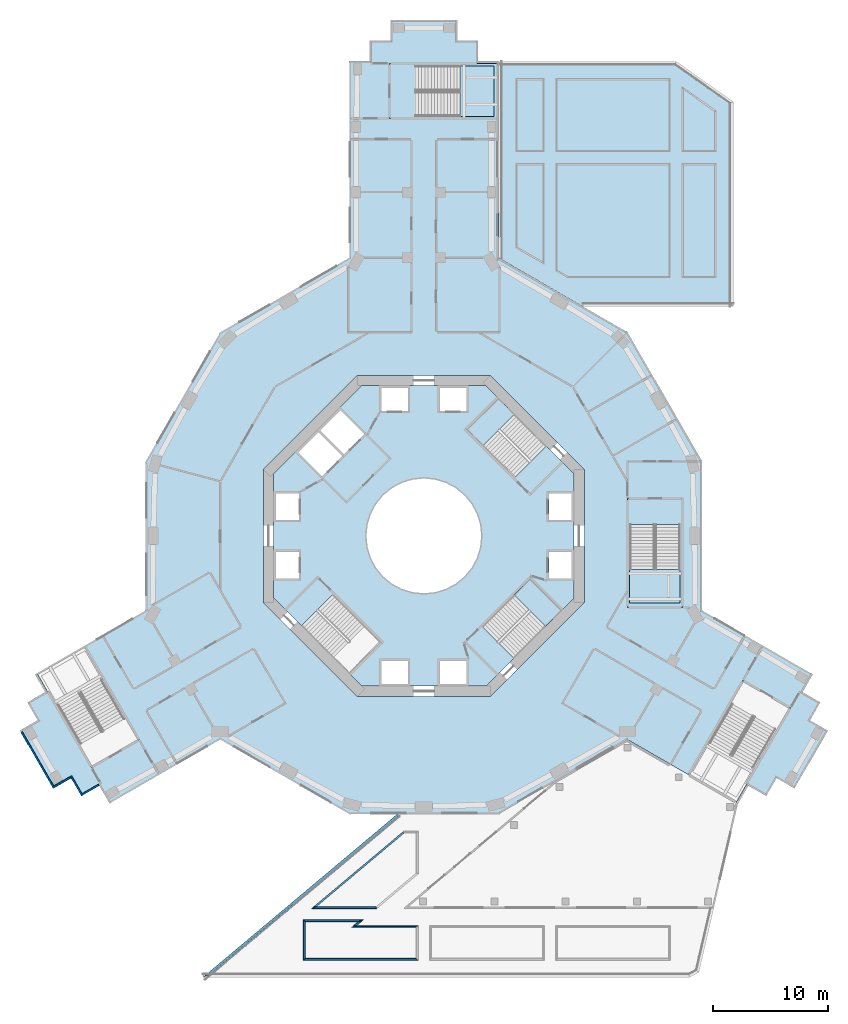
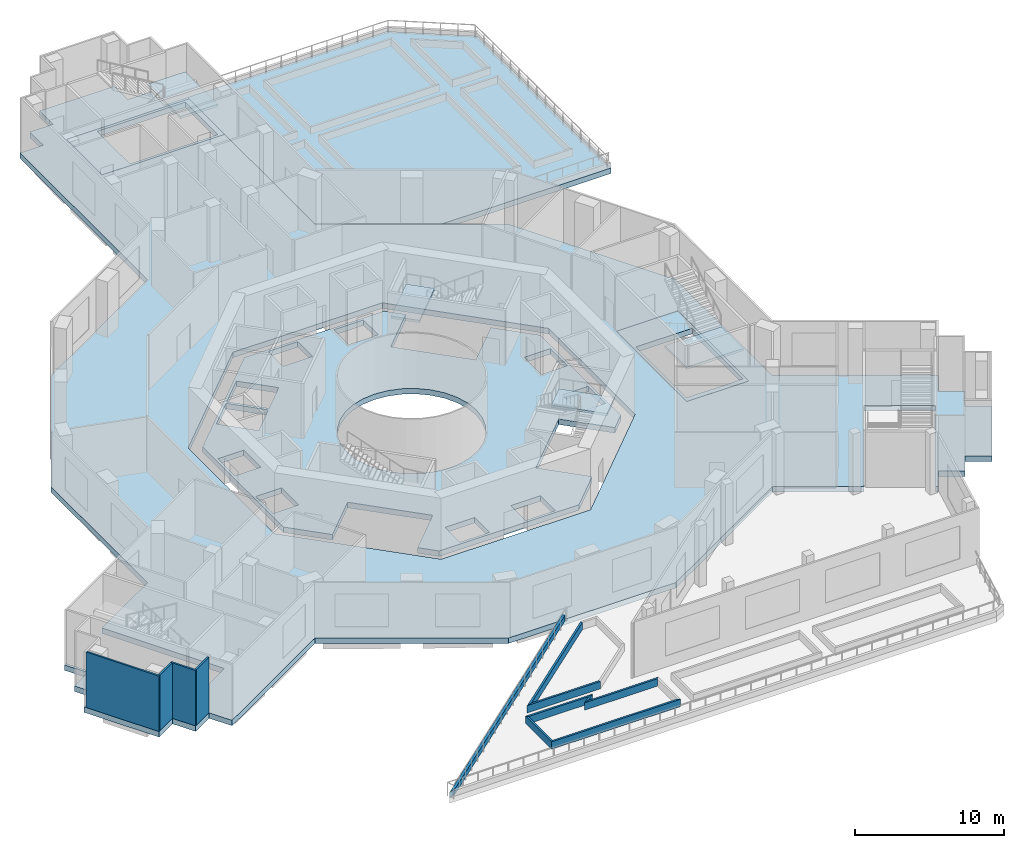
# One storey, part 2 of 24: 12 walls, 9 slabs, 4 elements without a shape of their own.
"""IFC4 building model written with IfcOpenShell, lengths in metres."""

from ifc_helpers import new_model, si_unit, direction, frame, frame_2d, origin, place, context, subcontext, project, spatial, polyline, rectangle, outline, extrude, material, layer, layer_set, type_object, element, aggregate, save


model = new_model("IFC4")

# Units and contexts
model_context = context("Model", 3, precision=1e-05, world=origin(), true_north=direction((0.0, 1.0)))
body_context = subcontext(model_context, "Body", "Model", "MODEL_VIEW")
ifc_project = project(units=[si_unit("LENGTHUNIT", "METRE"), si_unit("AREAUNIT", "SQUARE_METRE"), si_unit("VOLUMEUNIT", "CUBIC_METRE"), si_unit("PLANEANGLEUNIT", "RADIAN"), si_unit("MASSUNIT", "GRAM", prefix="KILO")], contexts=[model_context])

# Site, building, storey
site_placement = place(None, origin())
site = spatial("IfcSite", under=ifc_project, at=site_placement, CompositionType="ELEMENT")
building_placement = place(site_placement, origin())
building = spatial("IfcBuilding", under=site, at=building_placement, Name="Verdalira Terraces Hotel", CompositionType="ELEMENT")
storey_placement = place(building_placement, frame((0.0, 0.0, 14.0)))
storey = spatial("IfcBuildingStorey", under=building, at=storey_placement, Name="L02", CompositionType="ELEMENT", Elevation=14.0)

# Slab
ifc_material_1 = material(Name="Concrete C40", Category="concrete")
ifc_layer_1 = layer(ifc_material_1, 0.449951171875)
ifc_layer_set_1 = layer_set([ifc_layer_1], Name="Core floor slab 450 mm")
slab_type_1 = type_object("IfcSlabType", Name="Core floor slab 450 mm", PredefinedType="FLOOR", material=ifc_layer_set_1)
slab_1_placement = place(storey_placement, frame((0.0, 0.0, -0.449951)))
element("IfcSlab", 1, at=slab_1_placement, inside=storey, type_object=slab_type_1, Name="L02 core floor", PredefinedType="FLOOR", context=body_context, shape_type="SweptSolid", body=[
    extrude(outline(polyline([(-5.42627, 13.100098), (5.42627, 13.100098), (6.491211, 12.034912), (3.719482, 9.263184), (7.905029, 5.077393), (10.677002, 7.849121), (13.100098, 5.42627), (13.100098, -5.42627), (12.034912, -6.491211), (9.263184, -3.719482), (5.077393, -7.905029), (7.849121, -10.677002), (5.42627, -13.100098), (-5.42627, -13.100098), (-6.491211, -12.034912), (-3.719482, -9.263184), (-7.905029, -5.077393), (-10.677002, -7.849121), (-13.100098, -5.42627), (-13.100098, 5.42627), (-5.42627, 13.100098)]), holes=[polyline([(12.899902, -3.699951), (12.899902, -1.399902), (10.899902, -1.399902), (10.899902, -3.699951), (12.899902, -3.699951)]), polyline([(12.899902, 1.399902), (12.899902, 3.699951), (10.899902, 3.699951), (10.899902, 1.399902), (12.899902, 1.399902)]), polyline([(1.399902, 10.899902), (3.699951, 10.899902), (3.699951, 12.899902), (1.399902, 12.899902), (1.399902, 10.899902)]), polyline([(-3.699951, 10.899902), (-1.399902, 10.899902), (-1.399902, 12.899902), (-3.699951, 12.899902), (-3.699951, 10.899902)]), polyline([(-12.899902, 3.699951), (-12.899902, 1.399902), (-10.899902, 1.399902), (-10.899902, 3.699951), (-12.899902, 3.699951)]), polyline([(-12.899902, -1.399902), (-12.899902, -3.699951), (-10.899902, -3.699951), (-10.899902, -1.399902), (-12.899902, -1.399902)]), polyline([(-1.399902, -10.899902), (-3.699951, -10.899902), (-3.699951, -12.899902), (-1.399902, -12.899902), (-1.399902, -10.899902)]), polyline([(3.699951, -10.899902), (1.399902, -10.899902), (1.399902, -12.899902), (3.699951, -12.899902), (3.699951, -10.899902)]), polyline([(-9.051025, 9.192383), (-6.965088, 7.106445), (-5.197266, 8.874268), (-7.283203, 10.960205), (-9.051025, 9.192383)]), polyline([(-9.192383, 9.051025), (-10.960205, 7.283203), (-8.874268, 5.197266), (-7.106445, 6.965088), (-9.192383, 9.051025)]), polyline([(3.5354, 3.5354), (2.777832, 4.157227), (1.91333, 4.619385), (0.975586, 4.903809), (0.0, 5.0), (-0.975586, 4.903809), (-1.91333, 4.619385), (-2.777832, 4.157227), (-3.5354, 3.5354), (-4.157227, 2.777832), (-4.619385, 1.91333), (-4.903809, 0.975586), (-5.0, 0.0), (-4.903809, -0.975586), (-4.619385, -1.91333), (-4.157227, -2.777832), (-3.5354, -3.5354), (-2.777832, -4.157227), (-1.91333, -4.619385), (-0.975586, -4.903809), (0.0, -5.0), (0.975586, -4.903809), (1.91333, -4.619385), (2.777832, -4.157227), (3.5354, -3.5354), (4.157227, -2.777832), (4.619385, -1.91333), (4.903809, -0.975586), (5.0, 0.0), (4.903809, 0.975586), (4.619385, 1.91333), (4.157227, 2.777832), (3.5354, 3.5354)])]), origin(), (0.0, 0.0, 1.0), 0.449951),
])

# Stair, slab
ifc_material_2 = material(Name="Concrete C40", Category="concrete")
stair_type_1 = type_object("IfcStairType", Name="Core stair 30 risers 1900 mm wide", PredefinedType="HALF_TURN_STAIR", material=ifc_material_2)
stair_1_placement = place(storey_placement, origin())
stair_1 = element("IfcStair", 2, at=stair_1_placement, inside=storey, type_object=stair_type_1, Name="L02 Exit stair ST1", PredefinedType="HALF_TURN_STAIR")
ifc_material_3 = material(Name="Concrete C40", Category="concrete")
ifc_layer_2 = layer(ifc_material_3, 0.199951171875)
ifc_layer_set_2 = layer_set([ifc_layer_2], Name="Core stair landing 200 mm")
slab_type_2 = type_object("IfcSlabType", Name="Core stair landing 200 mm", PredefinedType="LANDING", material=ifc_layer_set_2)
slab_2_placement = place(storey_placement, frame((0.0, 0.0, 2.300049)))
slab_2 = element("IfcSlab", 3, at=slab_2_placement, type_object=slab_type_2, Name="ST1 landing 1", PredefinedType="LANDING", context=body_context, shape_type="SweptSolid", body=[
    extrude(outline(polyline([(7.905762, 10.620361), (6.505371, 12.020752), (3.747559, 9.263184), (5.148193, 7.862793), (7.905762, 10.620361)])), origin(), (0.0, 0.0, 1.0), 0.199951),
])
aggregate(stair_1, [slab_2])

stair_2_placement = place(storey_placement, origin())
stair_2 = element("IfcStair", 4, at=stair_2_placement, inside=storey, type_object=stair_type_1, Name="L02 Exit stair ST3", PredefinedType="HALF_TURN_STAIR")
slab_3_placement = place(storey_placement, frame((0.0, 0.0, 2.300049)))
slab_3 = element("IfcSlab", 5, at=slab_3_placement, type_object=slab_type_2, Name="ST3 landing 1", PredefinedType="LANDING", context=body_context, shape_type="SweptSolid", body=[
    extrude(outline(polyline([(10.620361, -7.905762), (12.020752, -6.505371), (9.263184, -3.747559), (7.862793, -5.148193), (10.620361, -7.905762)])), origin(), (0.0, 0.0, 1.0), 0.199951),
])
aggregate(stair_2, [slab_3])

# Slab
ifc_material_4 = material(Name="Concrete C40", Category="concrete")
ifc_layer_3 = layer(ifc_material_4, 0.449951171875)
ifc_layer_set_3 = layer_set([ifc_layer_3], Name="Floor slab 450 C40")
slab_type_3 = type_object("IfcSlabType", Name="Floor slab 450 C40", PredefinedType="FLOOR", material=ifc_layer_set_3)
slab_4_placement = place(storey_placement, frame((0.0, 0.0, -0.449951)))
element("IfcSlab", 6, at=slab_4_placement, inside=storey, type_object=slab_type_3, Name="Floor slab L02", PredefinedType="FLOOR", context=body_context, shape_type="SweptSolid", body=[
    extrude(outline(polyline([(33.007324, -13.629639), (33.907227, -12.070801), (24.258301, -6.5), (24.258301, 6.5), (17.758301, 17.758301), (6.5, 24.258301), (6.5, 36.399414), (-3.000488, 36.399414), (-3.000488, 41.200439), (6.5, 41.200439), (6.5, 41.399902), (4.699951, 41.399902), (4.699951, 43.199951), (2.899902, 43.199951), (2.899902, 45.0), (-2.899902, 45.0), (-2.899902, 43.199951), (-4.699951, 43.199951), (-4.699951, 41.399902), (-6.5, 41.399902), (-6.5, 24.258301), (-17.758301, 17.758301), (-24.258301, 6.5), (-24.258301, -6.5), (-29.57666, -9.570557), (-24.826416, -17.79834), (-28.984375, -20.19873), (-33.734619, -11.971191), (-33.907227, -12.070801), (-33.007324, -13.629639), (-34.566162, -14.529785), (-33.666016, -16.088379), (-35.225098, -16.988525), (-32.324951, -22.011475), (-30.766113, -21.111572), (-29.866211, -22.67041), (-28.307373, -21.770264), (-27.407227, -23.329102), (-17.758301, -17.758301), (-6.5, -24.258301), (6.5, -24.258301), (17.758301, -17.758301), (23.07666, -20.828857), (27.826904, -12.601318), (31.984863, -15.001709), (27.234619, -23.229492), (27.407227, -23.329102), (28.307373, -21.770264), (29.866211, -22.67041), (30.766113, -21.111572), (32.324951, -22.011475), (35.225098, -16.988525), (33.666016, -16.088379), (34.566162, -14.529785), (33.007324, -13.629639)]), holes=[polyline([(-5.799072, -14.0), (-14.0, -5.799072), (-14.0, 5.799072), (-5.799072, 14.0), (5.799072, 14.0), (14.0, 5.799072), (14.0, -5.799072), (5.799072, -14.0), (-5.799072, -14.0)]), polyline([(22.558838, -6.250488), (17.757812, -6.250488), (17.757812, 3.250488), (22.558838, 3.250488), (22.558838, -6.250488)])]), origin(), (0.0, 0.0, 1.0), 0.449951),
])

# Stair, slab
ifc_material_5 = material(Name="Concrete C40", Category="concrete")
stair_type_2 = type_object("IfcStairType", Name="Podium stair 30 risers", PredefinedType="HALF_TURN_STAIR", material=ifc_material_5)
stair_3_placement = place(storey_placement, origin())
stair_3 = element("IfcStair", 7, at=stair_3_placement, inside=storey, type_object=stair_type_2, Name="L02 Exit stair PS1", PredefinedType="HALF_TURN_STAIR")
ifc_material_6 = material(Name="Concrete C40", Category="concrete")
ifc_layer_4 = layer(ifc_material_6, 0.199951171875)
ifc_layer_set_4 = layer_set([ifc_layer_4], Name="Podium stair landing 200 mm")
slab_type_4 = type_object("IfcSlabType", Name="Podium stair landing 200 mm", PredefinedType="LANDING", material=ifc_layer_set_4)
slab_5_placement = place(storey_placement, frame((0.0, 0.0, 2.300049)))
slab_5 = element("IfcSlab", 8, at=slab_5_placement, type_object=slab_type_4, Name="PS1 landing 1", PredefinedType="LANDING", context=body_context, shape_type="SweptSolid", body=[
    extrude(outline(polyline([(6.101562, 41.001465), (3.167969, 41.001465), (3.167969, 36.598389), (6.101562, 36.598389), (6.101562, 41.001465)])), origin(), (0.0, 0.0, 1.0), 0.199951),
])
aggregate(stair_3, [slab_5])

stair_4_placement = place(storey_placement, origin())
stair_4 = element("IfcStair", 9, at=stair_4_placement, inside=storey, type_object=stair_type_2, Name="L02 Exit stair PS4", PredefinedType="HALF_TURN_STAIR")
slab_6_placement = place(storey_placement, frame((0.0, 0.0, 2.300049)))
slab_6 = element("IfcSlab", 10, at=slab_6_placement, type_object=slab_type_4, Name="PS4 landing 1", PredefinedType="LANDING", context=body_context, shape_type="SweptSolid", body=[
    extrude(outline(polyline([(22.359863, -5.851562), (22.359863, -2.917969), (17.956787, -2.917969), (17.956787, -5.851562), (22.359863, -5.851562)])), origin(), (0.0, 0.0, 1.0), 0.199951),
])
aggregate(stair_4, [slab_6])

# Slabs
ifc_material_7 = material(Name="Concrete C40", Category="concrete")
ifc_layer_5 = layer(ifc_material_7, 0.449951171875)
ifc_layer_set_5 = layer_set([ifc_layer_5], Name="Stair enclosure floor slab 450 mm")
slab_type_5 = type_object("IfcSlabType", Name="Stair enclosure floor slab 450 mm", PredefinedType="FLOOR", material=ifc_layer_set_5)
slab_7_placement = place(storey_placement, frame((0.0, 0.0, -0.449951)))
element("IfcSlab", 11, at=slab_7_placement, inside=storey, type_object=slab_type_5, Name="Stair PS1 floor slab", PredefinedType="FLOOR", context=body_context, shape_type="SweptSolid", body=[
    extrude(outline(polyline([(-2.999512, 36.400391), (-2.999512, 41.199463), (6.5, 41.199463), (6.5, 36.400391), (-2.999512, 36.400391)]), holes=[polyline([(-0.746094, 40.996094), (-0.746094, 36.604004), (6.095947, 36.604004), (6.095947, 40.996094), (-0.746094, 40.996094)])]), origin(), (0.0, 0.0, 1.0), 0.449951),
])
slab_8_placement = place(storey_placement, frame((0.0, 0.0, -0.449951)))
element("IfcSlab", 12, at=slab_8_placement, inside=storey, type_object=slab_type_5, Name="Stair PS4 floor slab", PredefinedType="FLOOR", context=body_context, shape_type="SweptSolid", body=[
    extrude(outline(polyline([(17.758789, 3.249512), (22.557861, 3.249512), (22.557861, -6.249512), (17.758789, -6.249512), (17.758789, 3.249512)]), holes=[polyline([(22.354248, 0.996094), (17.962402, 0.996094), (17.962402, -5.845947), (22.354248, -5.845947), (22.354248, 0.996094)])]), origin(), (0.0, 0.0, 1.0), 0.449951),
])
ifc_material_8 = material(Name="Concrete C40", Category="concrete")
ifc_layer_6 = layer(ifc_material_8, 0.449951171875)
ifc_layer_set_6 = layer_set([ifc_layer_6], Name="Terrace slab with planting beds 450 mm")
slab_type_6 = type_object("IfcSlabType", Name="Terrace slab with planting beds 450 mm", PredefinedType="ROOF", material=ifc_layer_set_6)
slab_9_placement = place(storey_placement, frame((0.0, 0.0, -0.449951)))
element("IfcSlab", 13, at=slab_9_placement, inside=storey, type_object=slab_type_6, Name="Terrace slab with planting beds", PredefinedType="ROOF", context=body_context, shape_type="SweptSolid", body=[
    extrude(outline(polyline([(27.0, 37.876221), (27.0, 20.0), (13.875488, 20.0), (6.5, 24.258301), (6.5, 41.399902), (22.0, 41.399902), (27.0, 37.876221)])), origin(), (0.0, 0.0, 1.0), 0.449951),
])

# Walls
ifc_material_9 = material(Name="Concrete C40", Category="concrete")
ifc_layer_7 = layer(ifc_material_9, 0.14990234375)
ifc_layer_set_7 = layer_set([ifc_layer_7], Name="Terrace planter trough 150 x 600")
wall_type_1 = type_object("IfcWallType", Name="Terrace planter trough 150 x 600", PredefinedType="SOLIDWALL", material=ifc_layer_set_7)
wall_1_placement = place(storey_placement, origin())
element("IfcWall", 14, at=wall_1_placement, inside=storey, type_object=wall_type_1, Name="Terrace planting bed trough", PredefinedType="SOLIDWALL", context=body_context, shape_type="SweptSolid", body=[
    extrude(outline(polyline([(-10.5, -37.0), (-0.5, -37.0), (-0.649902, -36.850098), (-10.350098, -36.850098), (-10.5, -37.0)])), origin(), (0.0, 0.0, 1.0), 0.600098),
])
wall_2_placement = place(storey_placement, origin())
element("IfcWall", 15, at=wall_2_placement, inside=storey, type_object=wall_type_1, Name="Terrace planting bed trough", PredefinedType="SOLIDWALL", context=body_context, shape_type="SweptSolid", body=[
    extrude(outline(polyline([(-0.5, -34.0), (-5.893555, -34.0), (-6.305664, -34.149902), (-0.649902, -34.149902), (-0.5, -34.0)])), origin(), (0.0, 0.0, 1.0), 0.600098),
])
wall_3_placement = place(storey_placement, origin())
element("IfcWall", 16, at=wall_3_placement, inside=storey, type_object=wall_type_1, Name="Terrace planting bed trough", PredefinedType="SOLIDWALL", context=body_context, shape_type="SweptSolid", body=[
    extrude(outline(polyline([(-5.893555, -34.0), (-5.297607, -33.5), (-5.709717, -33.649902), (-6.305664, -34.149902), (-5.893555, -34.0)])), origin(), (0.0, 0.0, 1.0), 0.600098),
])
wall_4_placement = place(storey_placement, origin())
element("IfcWall", 17, at=wall_4_placement, inside=storey, type_object=wall_type_1, Name="Terrace planting bed trough", PredefinedType="SOLIDWALL", context=body_context, shape_type="SweptSolid", body=[
    extrude(outline(polyline([(-5.297607, -33.5), (-10.5, -33.5), (-10.350098, -33.649902), (-5.709717, -33.649902), (-5.297607, -33.5)])), origin(), (0.0, 0.0, 1.0), 0.600098),
])
wall_5_placement = place(storey_placement, origin())
element("IfcWall", 18, at=wall_5_placement, inside=storey, type_object=wall_type_1, Name="Terrace planting bed trough", PredefinedType="SOLIDWALL", context=body_context, shape_type="SweptSolid", body=[
    extrude(outline(polyline([(-10.5, -33.5), (-10.5, -37.0), (-10.350098, -36.850098), (-10.350098, -33.649902), (-10.5, -33.5)])), origin(), (0.0, 0.0, 1.0), 0.600098),
])
wall_6_placement = place(storey_placement, origin())
element("IfcWall", 19, at=wall_6_placement, inside=storey, type_object=wall_type_1, Name="Terrace planting bed trough", PredefinedType="SOLIDWALL", context=body_context, shape_type="SweptSolid", body=[
    extrude(outline(polyline([(-1.761963, -25.758301), (-9.796387, -32.5), (-9.384277, -32.350098), (-1.707275, -25.908203), (-1.761963, -25.758301)])), origin(), (0.0, 0.0, 1.0), 0.600098),
])
wall_7_placement = place(storey_placement, origin())
element("IfcWall", 20, at=wall_7_placement, inside=storey, type_object=wall_type_1, Name="Terrace planting bed trough", PredefinedType="SOLIDWALL", context=body_context, shape_type="SweptSolid", body=[
    extrude(outline(polyline([(-9.796387, -32.5), (-4.105957, -32.5), (-4.160645, -32.350098), (-9.384277, -32.350098), (-9.796387, -32.5)])), origin(), (0.0, 0.0, 1.0), 0.600098),
])
ifc_material_10 = material(Name="Concrete C40", Category="concrete")
ifc_layer_8 = layer(ifc_material_10, 0.199951171875)
ifc_layer_set_8 = layer_set([ifc_layer_8], Name="Terrace upstand 200 x 450")
wall_type_2 = type_object("IfcWallType", Name="Terrace upstand 200 x 450", PredefinedType="SOLIDWALL", material=ifc_layer_set_8)
wall_8_placement = place(storey_placement, origin())
element("IfcWall", 21, at=wall_8_placement, inside=storey, type_object=wall_type_2, Name="Terrace upstand", PredefinedType="SOLIDWALL", context=body_context, shape_type="SweptSolid", body=[
    extrude(outline(polyline([(-2.179199, -24.411621), (-2.307861, -24.258301), (-19.280518, -38.5), (-18.730957, -38.300049), (-2.179199, -24.411621)])), origin(), (0.0, 0.0, 1.0), 0.449951),
])
ifc_material_11 = material(Name="Terracotta cladding on steel stud backup", Category="masonry")
ifc_layer_9 = layer(ifc_material_11, 0.139892578125)
ifc_layer_set_9 = layer_set([ifc_layer_9], Name="Terracotta clad wall 140 mm")
wall_type_3 = type_object("IfcWallType", Name="Terracotta clad wall 140 mm", PredefinedType="SOLIDWALL", material=ifc_layer_set_9)
wall_9_placement = place(storey_placement, frame((-35.094482, -17.074707, 0.0), z_axis=(0.0, 0.0, 1.0), x_axis=(0.499998748, -0.866026127, 0.0)))
element("IfcWall", 22, at=wall_9_placement, inside=storey, type_object=wall_type_3, Name="Podium facade wall", PredefinedType="SOLIDWALL", context=body_context, shape_type="SweptSolid", body=[
    extrude(rectangle(XDim=5.660156, YDim=0.139893, at=frame_2d((2.830078, 0.0))), origin(), (0.0, 0.0, 1.0), 4.550049),
])
wall_10_placement = place(storey_placement, frame((-32.23877, -21.880859, 0.0), z_axis=(0.0, 0.0, 1.0), x_axis=(0.866026406, 0.499998264, 0.0)))
element("IfcWall", 23, at=wall_10_placement, inside=storey, type_object=wall_type_3, Name="Podium facade wall", PredefinedType="SOLIDWALL", context=body_context, shape_type="SweptSolid", body=[
    extrude(rectangle(XDim=1.660156, YDim=0.139893, at=frame_2d((0.830078, 0.0))), origin(), (0.0, 0.0, 1.0), 4.550049),
])
wall_11_placement = place(storey_placement, frame((-30.775391, -20.955078, 0.0), z_axis=(0.0, 0.0, 1.0), x_axis=(0.499969368, -0.866043088, 0.0)))
element("IfcWall", 24, at=wall_11_placement, inside=storey, type_object=wall_type_3, Name="Podium facade wall", PredefinedType="SOLIDWALL", context=body_context, shape_type="SweptSolid", body=[
    extrude(rectangle(XDim=1.939941, YDim=0.139893, at=frame_2d((0.969971, 0.0))), origin(), (0.0, 0.0, 1.0), 4.550049),
])
wall_12_placement = place(storey_placement, frame((-29.779785, -22.539795, 0.0), z_axis=(0.0, 0.0, 1.0), x_axis=(0.865989634, 0.500061949, 0.0)))
element("IfcWall", 25, at=wall_12_placement, inside=storey, type_object=wall_type_3, Name="Podium facade wall", PredefinedType="SOLIDWALL", context=body_context, shape_type="SweptSolid", body=[
    extrude(rectangle(XDim=1.659912, YDim=0.139893, at=frame_2d((0.830078, 0.0))), origin(), (0.0, 0.0, 1.0), 4.550049),
])

save(model, "model.ifc")
